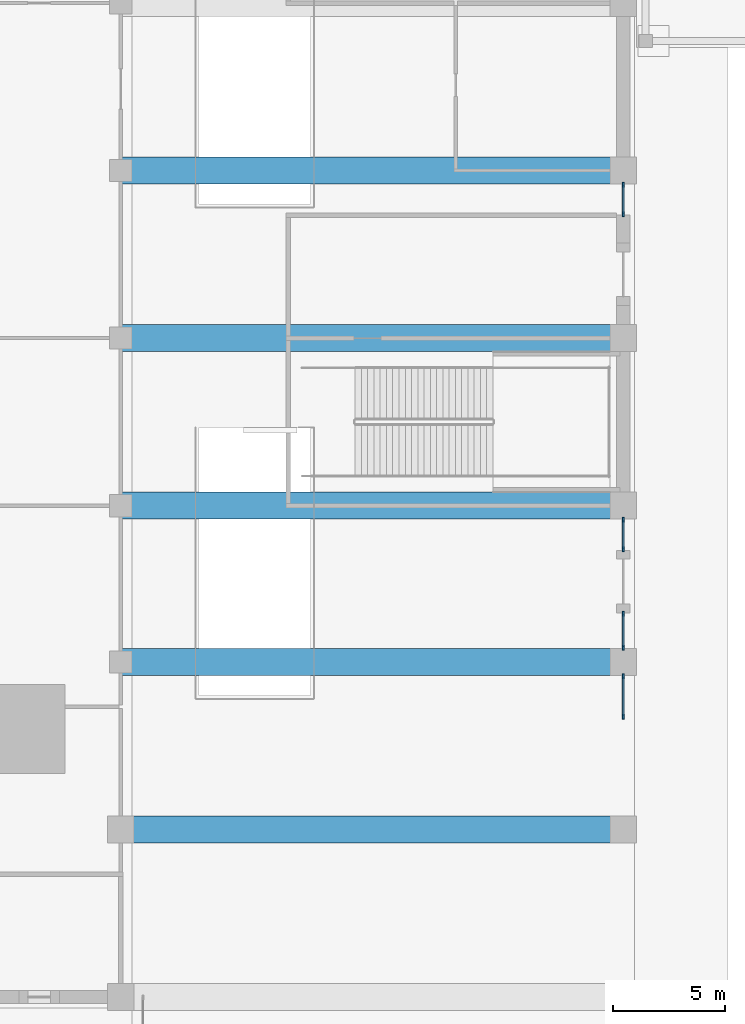
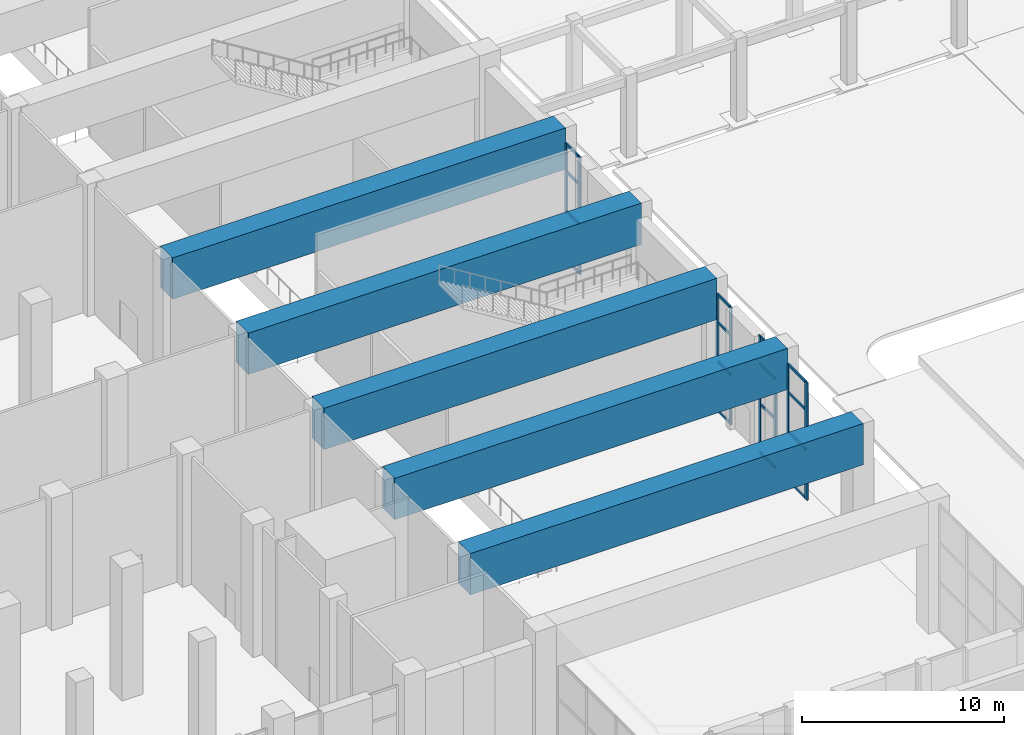
# One storey, part 10 of 57: 24 members, 5 beams, 4 elements without a shape of their own.
"""IFC4 building model written with IfcOpenShell, lengths in metres."""

from ifc_helpers import new_model, si_unit, direction, frame, origin, origin_2d, place, context, subcontext, project, spatial, rectangle, extrude, material, layer, layer_set, material_profile, profile_set, type_object, element, aggregate, save


model = new_model("IFC4")

# Units and contexts
model_context = context("Model", 3, precision=1e-05, world=origin(), true_north=direction((0.0, 1.0)))
body_context = subcontext(model_context, "Body", "Model", "MODEL_VIEW")
ifc_project = project(units=[si_unit("LENGTHUNIT", "METRE"), si_unit("AREAUNIT", "SQUARE_METRE"), si_unit("VOLUMEUNIT", "CUBIC_METRE"), si_unit("PLANEANGLEUNIT", "RADIAN"), si_unit("MASSUNIT", "GRAM", prefix="KILO")], contexts=[model_context])

# Site, building, storey
site_placement = place(None, origin())
site = spatial("IfcSite", under=ifc_project, at=site_placement, CompositionType="ELEMENT")
building_placement = place(site_placement, origin())
building = spatial("IfcBuilding", under=site, at=building_placement, Name="Tamorin Gate", CompositionType="ELEMENT")
storey_placement = place(building_placement, origin())
storey = spatial("IfcBuildingStorey", under=building, at=storey_placement, Name="L00", CompositionType="ELEMENT", Elevation=0.0)

# Curtain wall, members
ifc_material_1 = material(Name="Aluminium and glass", Category="aluminium")
ifc_layer = layer(ifc_material_1, 0.199951171875)
ifc_layer_set = layer_set([ifc_layer], Name="Station concourse glazing system")
curtain_wall_type = type_object("IfcCurtainWallType", Name="Station concourse glazing system", PredefinedType="NOTDEFINED", material=ifc_layer_set)
curtain_wall_1_placement = place(storey_placement, origin())
curtain_wall_1 = element("IfcCurtainWall", 1, at=curtain_wall_1_placement, inside=storey, type_object=curtain_wall_type, Name="Station concourse glazing system L00", PredefinedType="NOTDEFINED")
ifc_material_2 = material(Name="Aluminium", Category="aluminium")
ifc_material_profile_1 = material_profile(ifc_material_2, rectangle(XDim=0.080078125, YDim=0.219970703125, at=origin_2d()), Name="RECT 80x220")
ifc_profile_set_1 = profile_set([ifc_material_profile_1], Name="Aluminium")
member_type_1 = type_object("IfcMemberType", Name="Concourse mullion 80x220", PredefinedType="MULLION", material=ifc_profile_set_1)
member_1_placement = place(storey_placement, frame((112.0, 43.0400390625, 0.0), z_axis=(0.0, 0.0, 1.0), x_axis=(-1.0, 0.0, 0.0)))
member_1 = element("IfcMember", 2, at=member_1_placement, type_object=member_type_1, Name="CWP11 mullion 1", PredefinedType="MULLION", context=body_context, shape_type="SweptSolid", body=[
    extrude(rectangle(XDim=0.080078125, YDim=0.219970703125, at=origin_2d()), origin(), (0.0, 0.0, 1.0), 7.10009765625),
])
member_2_placement = place(storey_placement, frame((112.0, 44.860107421875, 0.0), z_axis=(0.0, 0.0, 1.0), x_axis=(-1.0, 0.0, 0.0)))
member_2 = element("IfcMember", 3, at=member_2_placement, type_object=member_type_1, Name="CWP11 mullion 2", PredefinedType="MULLION", context=body_context, shape_type="SweptSolid", body=[
    extrude(rectangle(XDim=0.080078125, YDim=0.219970703125, at=origin_2d()), origin(), (0.0, 0.0, 1.0), 7.10009765625),
])

curtain_wall_2_placement = place(storey_placement, origin())
curtain_wall_2 = element("IfcCurtainWall", 4, at=curtain_wall_2_placement, inside=storey, type_object=curtain_wall_type, Name="Station concourse glazing system L00", PredefinedType="NOTDEFINED")
member_3_placement = place(storey_placement, frame((112.0, 46.139892578125, 0.0), z_axis=(0.0, 0.0, 1.0), x_axis=(-1.0, 0.0, 0.0)))
member_3 = element("IfcMember", 5, at=member_3_placement, type_object=member_type_1, Name="CWP11 mullion 1", PredefinedType="MULLION", context=body_context, shape_type="SweptSolid", body=[
    extrude(rectangle(XDim=0.080078125, YDim=0.219970703125, at=origin_2d()), origin(), (0.0, 0.0, 1.0), 7.10009765625),
])
member_4_placement = place(storey_placement, frame((112.0, 47.659912109375, 0.0), z_axis=(0.0, 0.0, 1.0), x_axis=(-1.0, 0.0, 0.0)))
member_4 = element("IfcMember", 6, at=member_4_placement, type_object=member_type_1, Name="CWP11 mullion 2", PredefinedType="MULLION", context=body_context, shape_type="SweptSolid", body=[
    extrude(rectangle(XDim=0.080078125, YDim=0.219970703125, at=origin_2d()), origin(), (0.0, 0.0, 1.0), 7.10009765625),
])

curtain_wall_3_placement = place(storey_placement, origin())
curtain_wall_3 = element("IfcCurtainWall", 7, at=curtain_wall_3_placement, inside=storey, type_object=curtain_wall_type, Name="Station concourse glazing system L00", PredefinedType="NOTDEFINED")
member_5_placement = place(storey_placement, frame((112.0, 50.5400390625, 0.0), z_axis=(0.0, 0.0, 1.0), x_axis=(-1.0, 0.0, 0.0)))
member_5 = element("IfcMember", 8, at=member_5_placement, type_object=member_type_1, Name="CWP11 mullion 1", PredefinedType="MULLION", context=body_context, shape_type="SweptSolid", body=[
    extrude(rectangle(XDim=0.080078125, YDim=0.219970703125, at=origin_2d()), origin(), (0.0, 0.0, 1.0), 7.10009765625),
])
member_6_placement = place(storey_placement, frame((112.0, 51.860107421875, 0.0), z_axis=(0.0, 0.0, 1.0), x_axis=(-1.0, 0.0, 0.0)))
member_6 = element("IfcMember", 9, at=member_6_placement, type_object=member_type_1, Name="CWP11 mullion 2", PredefinedType="MULLION", context=body_context, shape_type="SweptSolid", body=[
    extrude(rectangle(XDim=0.080078125, YDim=0.219970703125, at=origin_2d()), origin(), (0.0, 0.0, 1.0), 7.10009765625),
])

curtain_wall_4_placement = place(storey_placement, origin())
curtain_wall_4 = element("IfcCurtainWall", 10, at=curtain_wall_4_placement, inside=storey, type_object=curtain_wall_type, Name="Station concourse glazing system L00", PredefinedType="NOTDEFINED")
member_7_placement = place(storey_placement, frame((112.0, 65.5400390625, 0.0), z_axis=(0.0, 0.0, 1.0), x_axis=(-1.0, 0.0, 0.0)))
member_7 = element("IfcMember", 11, at=member_7_placement, type_object=member_type_1, Name="CWP11 mullion 1", PredefinedType="MULLION", context=body_context, shape_type="SweptSolid", body=[
    extrude(rectangle(XDim=0.080078125, YDim=0.219970703125, at=origin_2d()), origin(), (0.0, 0.0, 1.0), 7.10009765625),
])
member_8_placement = place(storey_placement, frame((112.0, 66.860107421875, 0.0), z_axis=(0.0, 0.0, 1.0), x_axis=(-1.0, 0.0, 0.0)))
member_8 = element("IfcMember", 12, at=member_8_placement, type_object=member_type_1, Name="CWP11 mullion 2", PredefinedType="MULLION", context=body_context, shape_type="SweptSolid", body=[
    extrude(rectangle(XDim=0.080078125, YDim=0.219970703125, at=origin_2d()), origin(), (0.0, 0.0, 1.0), 7.10009765625),
])

# Member
ifc_material_profile_2 = material_profile(ifc_material_2, rectangle(XDim=0.080078125, YDim=0.159912109375, at=origin_2d()), Name="RECT 80x160")
ifc_profile_set_2 = profile_set([ifc_material_profile_2], Name="Aluminium")
member_type_2 = type_object("IfcMemberType", Name="Concourse transom 80x160", PredefinedType="USERDEFINED", material=ifc_profile_set_2)
member_9_placement = place(storey_placement, frame((112.0, 43.080078125, 0.0400390625), z_axis=(0.0, 1.0, 0.0), x_axis=(-1.0, 0.0, 0.0)))
member_9 = element("IfcMember", 13, at=member_9_placement, type_object=member_type_2, Name="CWP11 transom 1.1", ObjectType="TRANSOM", PredefinedType="USERDEFINED", context=body_context, shape_type="SweptSolid", body=[
    extrude(rectangle(XDim=0.080078125, YDim=0.159912109375, at=origin_2d()), origin(), (0.0, 0.0, 1.0), 1.739990234375),
])

member_10_placement = place(storey_placement, frame((112.0, 43.080078125, 3.0), z_axis=(0.0, 1.0, 0.0), x_axis=(-1.0, 0.0, 0.0)))
member_10 = element("IfcMember", 14, at=member_10_placement, type_object=member_type_2, Name="CWP11 transom 1.2", ObjectType="TRANSOM", PredefinedType="USERDEFINED", context=body_context, shape_type="SweptSolid", body=[
    extrude(rectangle(XDim=0.080078125, YDim=0.159912109375, at=origin_2d()), origin(), (0.0, 0.0, 1.0), 1.739990234375),
])

member_11_placement = place(storey_placement, frame((112.0, 43.080078125, 5.39990234375), z_axis=(0.0, 1.0, 0.0), x_axis=(-1.0, 0.0, 0.0)))
member_11 = element("IfcMember", 15, at=member_11_placement, type_object=member_type_2, Name="CWP11 transom 1.3", ObjectType="TRANSOM", PredefinedType="USERDEFINED", context=body_context, shape_type="SweptSolid", body=[
    extrude(rectangle(XDim=0.080078125, YDim=0.159912109375, at=origin_2d()), origin(), (0.0, 0.0, 1.0), 1.739990234375),
])

member_12_placement = place(storey_placement, frame((112.0, 43.080078125, 7.06005859375), z_axis=(0.0, 1.0, 0.0), x_axis=(-1.0, 0.0, 0.0)))
member_12 = element("IfcMember", 16, at=member_12_placement, type_object=member_type_2, Name="CWP11 transom 1.4", ObjectType="TRANSOM", PredefinedType="USERDEFINED", context=body_context, shape_type="SweptSolid", body=[
    extrude(rectangle(XDim=0.080078125, YDim=0.159912109375, at=origin_2d()), origin(), (0.0, 0.0, 1.0), 1.739990234375),
])

aggregate(curtain_wall_1, [member_1, member_2, member_9, member_10, member_11, member_12])

member_13_placement = place(storey_placement, frame((112.0, 46.179931640625, 0.0400390625), z_axis=(0.0, 1.0, 0.0), x_axis=(-1.0, 0.0, 0.0)))
member_13 = element("IfcMember", 17, at=member_13_placement, type_object=member_type_2, Name="CWP11 transom 1.1", ObjectType="TRANSOM", PredefinedType="USERDEFINED", context=body_context, shape_type="SweptSolid", body=[
    extrude(rectangle(XDim=0.080078125, YDim=0.159912109375, at=origin_2d()), origin(), (0.0, 0.0, 1.0), 1.440185546875),
])

member_14_placement = place(storey_placement, frame((112.0, 46.179931640625, 3.0), z_axis=(0.0, 1.0, 0.0), x_axis=(-1.0, 0.0, 0.0)))
member_14 = element("IfcMember", 18, at=member_14_placement, type_object=member_type_2, Name="CWP11 transom 1.2", ObjectType="TRANSOM", PredefinedType="USERDEFINED", context=body_context, shape_type="SweptSolid", body=[
    extrude(rectangle(XDim=0.080078125, YDim=0.159912109375, at=origin_2d()), origin(), (0.0, 0.0, 1.0), 1.440185546875),
])

member_15_placement = place(storey_placement, frame((112.0, 46.179931640625, 5.39990234375), z_axis=(0.0, 1.0, 0.0), x_axis=(-1.0, 0.0, 0.0)))
member_15 = element("IfcMember", 19, at=member_15_placement, type_object=member_type_2, Name="CWP11 transom 1.3", ObjectType="TRANSOM", PredefinedType="USERDEFINED", context=body_context, shape_type="SweptSolid", body=[
    extrude(rectangle(XDim=0.080078125, YDim=0.159912109375, at=origin_2d()), origin(), (0.0, 0.0, 1.0), 1.440185546875),
])

member_16_placement = place(storey_placement, frame((112.0, 46.179931640625, 7.06005859375), z_axis=(0.0, 1.0, 0.0), x_axis=(-1.0, 0.0, 0.0)))
member_16 = element("IfcMember", 20, at=member_16_placement, type_object=member_type_2, Name="CWP11 transom 1.4", ObjectType="TRANSOM", PredefinedType="USERDEFINED", context=body_context, shape_type="SweptSolid", body=[
    extrude(rectangle(XDim=0.080078125, YDim=0.159912109375, at=origin_2d()), origin(), (0.0, 0.0, 1.0), 1.440185546875),
])

aggregate(curtain_wall_2, [member_3, member_4, member_13, member_14, member_15, member_16])

member_17_placement = place(storey_placement, frame((112.0, 50.580078125, 0.0400390625), z_axis=(0.0, 1.0, 0.0), x_axis=(-1.0, 0.0, 0.0)))
member_17 = element("IfcMember", 21, at=member_17_placement, type_object=member_type_2, Name="CWP11 transom 1.1", ObjectType="TRANSOM", PredefinedType="USERDEFINED", context=body_context, shape_type="SweptSolid", body=[
    extrude(rectangle(XDim=0.080078125, YDim=0.159912109375, at=origin_2d()), origin(), (0.0, 0.0, 1.0), 1.239990234375),
])

member_18_placement = place(storey_placement, frame((112.0, 50.580078125, 3.0), z_axis=(0.0, 1.0, 0.0), x_axis=(-1.0, 0.0, 0.0)))
member_18 = element("IfcMember", 22, at=member_18_placement, type_object=member_type_2, Name="CWP11 transom 1.2", ObjectType="TRANSOM", PredefinedType="USERDEFINED", context=body_context, shape_type="SweptSolid", body=[
    extrude(rectangle(XDim=0.080078125, YDim=0.159912109375, at=origin_2d()), origin(), (0.0, 0.0, 1.0), 1.239990234375),
])

member_19_placement = place(storey_placement, frame((112.0, 50.580078125, 5.39990234375), z_axis=(0.0, 1.0, 0.0), x_axis=(-1.0, 0.0, 0.0)))
member_19 = element("IfcMember", 23, at=member_19_placement, type_object=member_type_2, Name="CWP11 transom 1.3", ObjectType="TRANSOM", PredefinedType="USERDEFINED", context=body_context, shape_type="SweptSolid", body=[
    extrude(rectangle(XDim=0.080078125, YDim=0.159912109375, at=origin_2d()), origin(), (0.0, 0.0, 1.0), 1.239990234375),
])

member_20_placement = place(storey_placement, frame((112.0, 50.580078125, 7.06005859375), z_axis=(0.0, 1.0, 0.0), x_axis=(-1.0, 0.0, 0.0)))
member_20 = element("IfcMember", 24, at=member_20_placement, type_object=member_type_2, Name="CWP11 transom 1.4", ObjectType="TRANSOM", PredefinedType="USERDEFINED", context=body_context, shape_type="SweptSolid", body=[
    extrude(rectangle(XDim=0.080078125, YDim=0.159912109375, at=origin_2d()), origin(), (0.0, 0.0, 1.0), 1.239990234375),
])

aggregate(curtain_wall_3, [member_5, member_6, member_17, member_18, member_19, member_20])

member_21_placement = place(storey_placement, frame((112.0, 65.580078125, 0.0400390625), z_axis=(0.0, 1.0, 0.0), x_axis=(-1.0, 0.0, 0.0)))
member_21 = element("IfcMember", 25, at=member_21_placement, type_object=member_type_2, Name="CWP11 transom 1.1", ObjectType="TRANSOM", PredefinedType="USERDEFINED", context=body_context, shape_type="SweptSolid", body=[
    extrude(rectangle(XDim=0.080078125, YDim=0.159912109375, at=origin_2d()), origin(), (0.0, 0.0, 1.0), 1.239990234375),
])

member_22_placement = place(storey_placement, frame((112.0, 65.580078125, 3.0), z_axis=(0.0, 1.0, 0.0), x_axis=(-1.0, 0.0, 0.0)))
member_22 = element("IfcMember", 26, at=member_22_placement, type_object=member_type_2, Name="CWP11 transom 1.2", ObjectType="TRANSOM", PredefinedType="USERDEFINED", context=body_context, shape_type="SweptSolid", body=[
    extrude(rectangle(XDim=0.080078125, YDim=0.159912109375, at=origin_2d()), origin(), (0.0, 0.0, 1.0), 1.239990234375),
])

member_23_placement = place(storey_placement, frame((112.0, 65.580078125, 5.39990234375), z_axis=(0.0, 1.0, 0.0), x_axis=(-1.0, 0.0, 0.0)))
member_23 = element("IfcMember", 27, at=member_23_placement, type_object=member_type_2, Name="CWP11 transom 1.3", ObjectType="TRANSOM", PredefinedType="USERDEFINED", context=body_context, shape_type="SweptSolid", body=[
    extrude(rectangle(XDim=0.080078125, YDim=0.159912109375, at=origin_2d()), origin(), (0.0, 0.0, 1.0), 1.239990234375),
])

member_24_placement = place(storey_placement, frame((112.0, 65.580078125, 7.06005859375), z_axis=(0.0, 1.0, 0.0), x_axis=(-1.0, 0.0, 0.0)))
member_24 = element("IfcMember", 28, at=member_24_placement, type_object=member_type_2, Name="CWP11 transom 1.4", ObjectType="TRANSOM", PredefinedType="USERDEFINED", context=body_context, shape_type="SweptSolid", body=[
    extrude(rectangle(XDim=0.080078125, YDim=0.159912109375, at=origin_2d()), origin(), (0.0, 0.0, 1.0), 1.239990234375),
])

aggregate(curtain_wall_4, [member_7, member_8, member_21, member_22, member_23, member_24])

# Beams
ifc_material_3 = material(Name="Concrete C60/75", Category="concrete")
ifc_material_profile_3 = material_profile(ifc_material_3, rectangle(XDim=1.199951171875, YDim=2.5, at=origin_2d()), Name="RC 1200x2500")
ifc_profile_set_3 = profile_set([ifc_material_profile_3], Name="Concrete C60/75")
beam_type = type_object("IfcBeamType", Name="RC transfer girder 1200x2500 C60/75", PredefinedType="BEAM", material=ifc_profile_set_3)
for number, where, z_axis, x_axis, name in (
    (29, (89.5, 38.0, 6.75), (1.0, 0.0, 0.0), (0.0, 1.0, 0.0), "Transfer girder L00"),
    (30, (89.5, 45.5, 6.75), (1.0, 0.0, 0.0), (0.0, 1.0, 0.0), "Transfer girder L00"),
    (31, (89.5, 52.5, 6.75), (1.0, 0.0, 0.0), (0.0, 1.0, 0.0), "Transfer girder L00"),
    (32, (89.5, 60.0, 6.75), (1.0, 0.0, 0.0), (0.0, 1.0, 0.0), "Transfer girder L00"),
    (33, (89.5, 67.5, 6.75), (1.0, 0.0, 0.0), (0.0, 1.0, 0.0), "Transfer girder L00"),
):
    element("IfcBeam", number, at=place(storey_placement, frame(where, z_axis=z_axis, x_axis=x_axis)), inside=storey, type_object=beam_type, Name=name, PredefinedType="BEAM", context=body_context, shape_type="SweptSolid", body=[
        extrude(rectangle(XDim=1.199951171875, YDim=2.5, at=origin_2d()), origin(), (0.0, 0.0, 1.0), 22.5),
    ])

save(model, "model.ifc")
